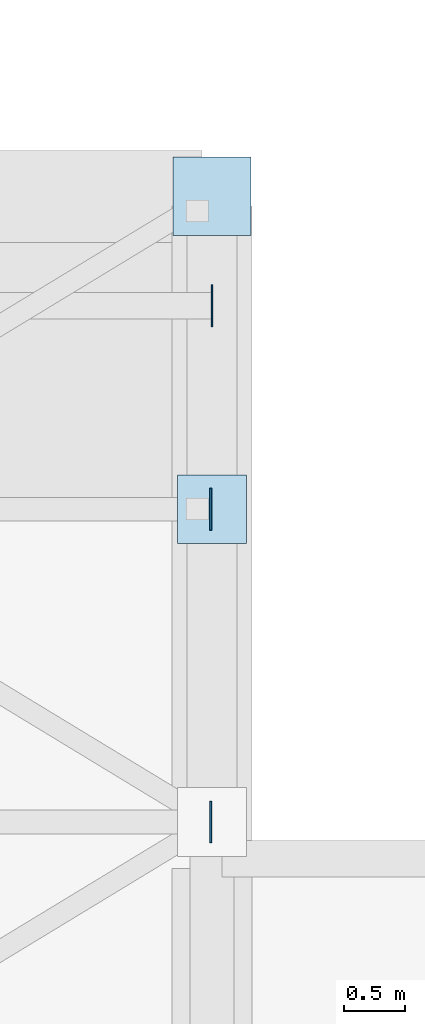
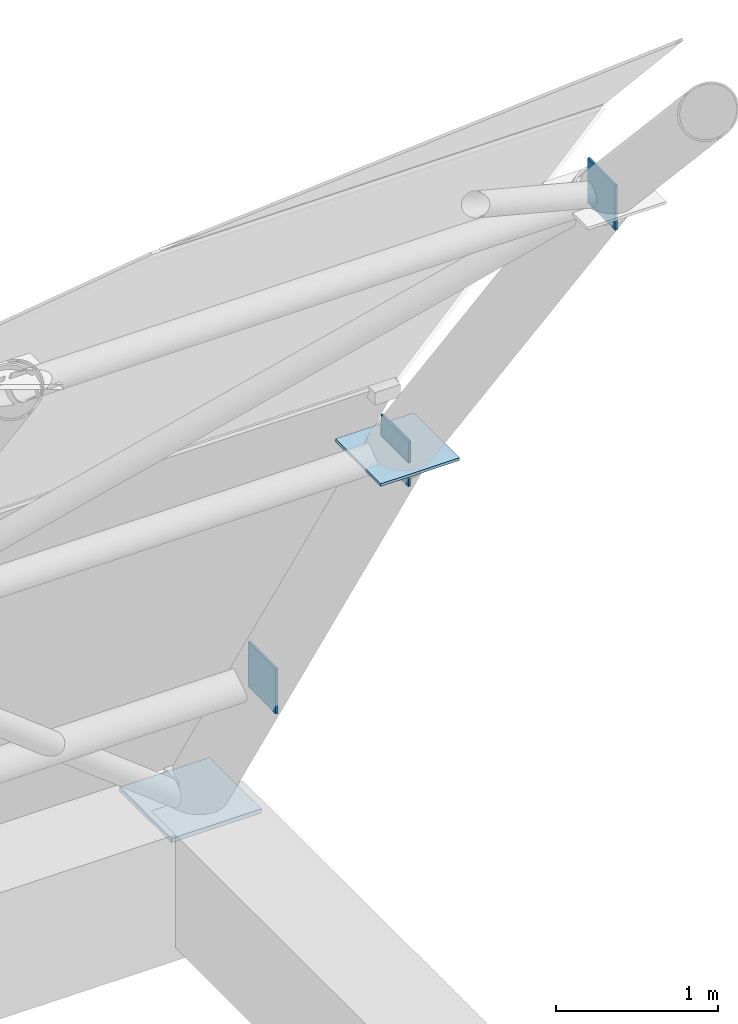
# One storey, part 51 of 128: 5 plates.
"""IFC4 building model written with IfcOpenShell, lengths in metres."""

from ifc_helpers import new_model, si_unit, direction, frame, origin, origin_2d, place, context, subcontext, project, spatial, rectangle, extrude, material, layer, layer_set, type_object, element, save


model = new_model("IFC4")

# Units and contexts
model_context = context("Model", 3, precision=1e-05, world=origin(), true_north=direction((0.0, 1.0)))
body_context = subcontext(model_context, "Body", "Model", "MODEL_VIEW")
ifc_project = project(units=[si_unit("LENGTHUNIT", "METRE"), si_unit("AREAUNIT", "SQUARE_METRE"), si_unit("VOLUMEUNIT", "CUBIC_METRE"), si_unit("PLANEANGLEUNIT", "RADIAN"), si_unit("MASSUNIT", "GRAM", prefix="KILO")], contexts=[model_context])

# Site, building, storey
site_placement = place(None, origin())
site = spatial("IfcSite", under=ifc_project, at=site_placement, CompositionType="ELEMENT")
building_placement = place(site_placement, origin())
building = spatial("IfcBuilding", under=site, at=building_placement, Name="Telukmera Botanical Conservatory", CompositionType="ELEMENT")
storey_placement = place(building_placement, frame((0.0, 0.0, 5.39990234375)))
storey = spatial("IfcBuildingStorey", under=building, at=storey_placement, Name="L01", CompositionType="ELEMENT", Elevation=5.39990234375)

# Plates
ifc_material = material(Name="Steel S355", Category="steel")
ifc_layer_1 = layer(ifc_material, 0.01611328125)
ifc_layer_set_1 = layer_set([ifc_layer_1], Name="Steel S355")
plate_type_1 = type_object("IfcPlateType", Name="Plate_CP1", PredefinedType="USERDEFINED", material=ifc_layer_set_1)
for number, where, z_axis, x_axis, name in (
    (1, (167.988037109375, 43.10009765625, 7.408203125), (0.0, 0.0, 1.0), (1.0, 0.0, 0.0), "CP1 Gridshell Gable Rib End Cap 12-10"),
    (2, (167.988037109375, 45.64990234375, 3.93310546875), (0.0, 0.0, 1.0), (1.0, 0.0, 0.0), "CP1 Gridshell Gable Rib End Cap 12-11"),
    (3, (168.0, 47.3076171875, 1.21435546875), (0.0, 0.0, 1.0), (1.0, 0.0, 0.0), "CP1 Gridshell Gable Rib End Cap 12-12"),
):
    element("IfcPlate", number, at=place(storey_placement, frame(where, z_axis=z_axis, x_axis=x_axis)), inside=storey, type_object=plate_type_1, Name=name, ObjectType="CAP_PLATE", PredefinedType="USERDEFINED", context=body_context, shape_type="SweptSolid", body=[
        extrude(rectangle(XDim=0.01611328125, YDim=0.340087890625, at=origin_2d()), origin(), (0.0, 0.0, 1.0), 0.340087890625),
    ])
ifc_layer_2 = layer(ifc_material, 0.031982421875)
ifc_layer_set_2 = layer_set([ifc_layer_2], Name="Steel S355")
plate_type_2 = type_object("IfcPlateType", Name="Plate_GN1", PredefinedType="USERDEFINED", material=ifc_layer_set_2)
plate_1_placement = place(storey_placement, frame((168.0, 48.199951171875, -0.095703125), z_axis=(0.0, 0.0, 1.0), x_axis=(1.0, 0.0, 0.0)))
element("IfcPlate", 4, at=plate_1_placement, inside=storey, type_object=plate_type_2, Name="GN1 Gridshell Welded Node Drum (12-12)", ObjectType="GUSSET_PLATE", PredefinedType="USERDEFINED", context=body_context, shape_type="SweptSolid", body=[
    extrude(rectangle(XDim=0.639892578125, YDim=0.639892578125, at=origin_2d()), origin(), (0.0, 0.0, 1.0), 0.031982421875),
])
ifc_layer_3 = layer(ifc_material, 0.02001953125)
ifc_layer_set_3 = layer_set([ifc_layer_3], Name="Steel S355")
plate_type_3 = type_object("IfcPlateType", Name="Plate_GN3", PredefinedType="USERDEFINED", material=ifc_layer_set_3)
plate_2_placement = place(storey_placement, frame((168.0, 45.64990234375, 4.09326171875), z_axis=(0.0, 0.0, 1.0), x_axis=(1.0, 0.0, 0.0)))
element("IfcPlate", 5, at=plate_2_placement, inside=storey, type_object=plate_type_3, Name="GN3 Gridshell Welded Node Drum (12-11)", ObjectType="GUSSET_PLATE", PredefinedType="USERDEFINED", context=body_context, shape_type="SweptSolid", body=[
    extrude(rectangle(XDim=0.56005859375, YDim=0.56005859375, at=origin_2d()), origin(), (0.0, 0.0, 1.0), 0.02001953125),
])

save(model, "model.ifc")
